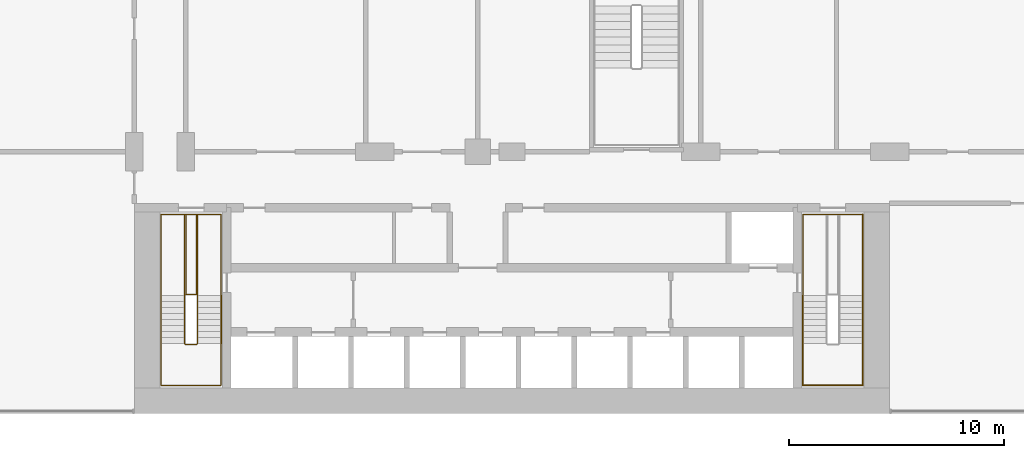
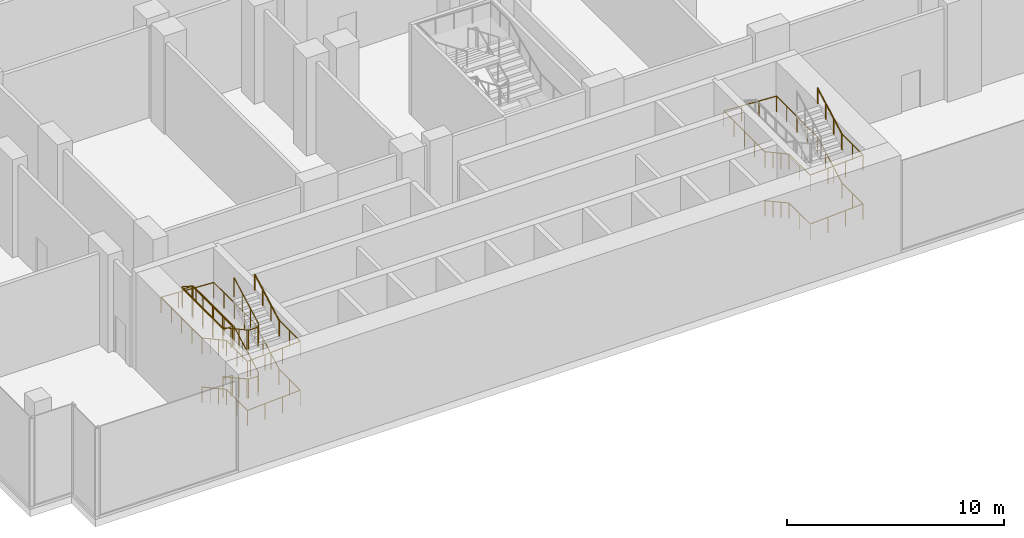
# One storey, part 25 of 30: 7 railings.
"""IFC4 building model written with IfcOpenShell, lengths in metres."""

from ifc_helpers import new_model, si_unit, direction, frame, origin, origin_2d, place, context, subcontext, project, spatial, circle, extrude, material, type_object, element, save


model = new_model("IFC4")

# Units and contexts
model_context = context("Model", 3, precision=1e-05, world=origin(), true_north=direction((0.0, 1.0)))
body_context = subcontext(model_context, "Body", "Model", "MODEL_VIEW")
ifc_project = project(units=[si_unit("LENGTHUNIT", "METRE"), si_unit("AREAUNIT", "SQUARE_METRE"), si_unit("VOLUMEUNIT", "CUBIC_METRE"), si_unit("PLANEANGLEUNIT", "RADIAN"), si_unit("MASSUNIT", "GRAM", prefix="KILO")], contexts=[model_context])

# Site, building, storey
site_placement = place(None, origin())
site = spatial("IfcSite", under=ifc_project, at=site_placement, CompositionType="ELEMENT")
building_placement = place(site_placement, origin())
building = spatial("IfcBuilding", under=site, at=building_placement, Name="Kemantara Hotel Tower", CompositionType="ELEMENT")
storey_placement = place(building_placement, frame((0.0, 0.0, 18.0)))
storey = spatial("IfcBuildingStorey", under=building, at=storey_placement, Name="L03", CompositionType="ELEMENT", Elevation=18.0)

# Railings
ifc_material = material(Name="Stainless steel balustrade", Category="steel")
railing_type_1 = type_object("IfcRailingType", Name="Stair guard 1100 mm", PredefinedType="GUARDRAIL", material=ifc_material)
railing_1_placement = place(storey_placement, frame((12.75, 5.5, 5.5)))
element("IfcRailing", 1, at=railing_1_placement, inside=storey, type_object=railing_type_1, Name="L03 ST1 stair guard 1", PredefinedType="GUARDRAIL", context=body_context, shape_type="SweptSolid", body=[
    extrude(circle(Radius=0.02392578125, at=origin_2d()), frame((0.0, 0.0, 1.076171875), z_axis=(0.0, -0.87783706319, -0.478959382924), x_axis=(1.0, 0.0, 0.0)), (0.0, 0.0, 1.0), 2.5517578125),
    extrude(circle(Radius=0.02392578125, at=origin_2d()), frame((0.0, -2.239990234375, -0.14599609375), z_axis=(-0.297155754911, -0.297155754911, -0.90741220768), x_axis=(0.707106781187, -0.707106781187, 0.0)), (0.0, 0.0, 1.0), 0.16845703125),
    extrude(circle(Radius=0.02392578125, at=origin_2d()), frame((-0.050048828125, -2.2900390625, -0.298828125), z_axis=(-1.0, 0.0, 0.0), x_axis=(0.0, -1.0, 0.0)), (0.0, 0.0, 1.0), 0.5),
    extrude(circle(Radius=0.02392578125, at=origin_2d()), frame((-0.550048828125, -2.2900390625, -0.298828125), z_axis=(-0.707106781187, 0.707106781187, 0.0), x_axis=(-0.707106781187, -0.707106781187, 0.0)), (0.0, 0.0, 1.0), 0.07080078125),
    extrude(circle(Radius=0.02392578125, at=origin_2d()), frame((-0.60009765625, -2.239990234375, -0.298828125), z_axis=(0.0, 0.87783706319, -0.478959382924), x_axis=(-1.0, 0.0, 0.0)), (0.0, 0.0, 1.0), 2.5517578125),
    extrude(circle(Radius=0.02392578125, at=origin_2d()), frame((-0.60009765625, 0.0, -1.52099609375), z_axis=(0.0, 1.0, 0.0), x_axis=(-1.0, 0.0, 0.0)), (0.0, 0.0, 1.0), 3.780029296875),
    extrude(circle(Radius=0.02392578125, at=origin_2d()), frame((-0.60009765625, 3.780029296875, -1.52099609375), z_axis=(0.963499526908, 0.0, -0.267710032776), x_axis=(0.0, 1.0, 0.0)), (0.0, 0.0, 1.0), 0.57080078125),
    extrude(circle(Radius=0.02392578125, at=origin_2d()), frame((-0.050048828125, 3.780029296875, -1.673828125), z_axis=(0.0, -1.0, 0.0), x_axis=(1.0, 0.0, 0.0)), (0.0, 0.0, 1.0), 3.72998046875),
    extrude(circle(Radius=0.02392578125, at=origin_2d()), frame((-0.050048828125, 0.050048828125, -1.673828125), z_axis=(-1.0, 0.0, 0.0), x_axis=(0.0, -1.0, 0.0)), (0.0, 0.0, 1.0), 0.5),
    extrude(circle(Radius=0.02392578125, at=origin_2d()), frame((-0.550048828125, 0.050048828125, -1.673828125), z_axis=(0.0, 1.0, 0.0), x_axis=(-1.0, 0.0, 0.0)), (0.0, 0.0, 1.0), 3.72998046875),
    extrude(circle(Radius=0.02392578125, at=origin_2d()), frame((-0.550048828125, 3.780029296875, -1.673828125), z_axis=(1.0, 0.0, 0.0), x_axis=(0.0, 1.0, 0.0)), (0.0, 0.0, 1.0), 0.550048828125),
    extrude(circle(Radius=0.02392578125, at=origin_2d()), frame((0.0, 3.780029296875, -1.673828125), z_axis=(0.0, -1.0, 0.0), x_axis=(1.0, 0.0, 0.0)), (0.0, 0.0, 1.0), 3.780029296875),
    extrude(circle(Radius=0.02392578125, at=origin_2d()), frame((0.0, 0.0, -1.673828125), z_axis=(0.0, -0.87783706319, -0.478959382924), x_axis=(1.0, 0.0, 0.0)), (0.0, 0.0, 1.0), 2.5517578125),
    extrude(circle(Radius=0.02392578125, at=origin_2d()), frame((0.0, -2.239990234375, -2.89599609375), z_axis=(-0.297155754911, -0.297155754911, -0.90741220768), x_axis=(0.707106781187, -0.707106781187, 0.0)), (0.0, 0.0, 1.0), 0.16845703125),
    extrude(circle(Radius=0.02392578125, at=origin_2d()), frame((-0.050048828125, -2.2900390625, -3.048828125), z_axis=(-1.0, 0.0, 0.0), x_axis=(0.0, -1.0, 0.0)), (0.0, 0.0, 1.0), 0.5),
    extrude(circle(Radius=0.02392578125, at=origin_2d()), frame((-0.550048828125, -2.2900390625, -3.048828125), z_axis=(-0.707106781187, 0.707106781187, 0.0), x_axis=(-0.707106781187, -0.707106781187, 0.0)), (0.0, 0.0, 1.0), 0.07080078125),
    extrude(circle(Radius=0.02392578125, at=origin_2d()), frame((-0.60009765625, -2.239990234375, -3.048828125), z_axis=(0.0, 0.87783706319, -0.478959382924), x_axis=(-1.0, 0.0, 0.0)), (0.0, 0.0, 1.0), 2.5517578125),
    extrude(circle(Radius=0.02392578125, at=origin_2d()), frame((-0.60009765625, 0.0, -4.27099609375), z_axis=(0.297155754911, 0.297155754911, -0.90741220768), x_axis=(-0.707106781187, 0.707106781187, 0.0)), (0.0, 0.0, 1.0), 0.16845703125),
    extrude(circle(Radius=0.02392578125, at=origin_2d()), frame((-0.550048828125, 0.050048828125, -4.423828125), z_axis=(1.0, 0.0, 0.0), x_axis=(0.0, 1.0, 0.0)), (0.0, 0.0, 1.0), 0.5),
    extrude(circle(Radius=0.02099609375, at=origin_2d()), origin(), (0.0, 0.0, 1.0), 1.052001953125),
    extrude(circle(Radius=0.02099609375, at=origin_2d()), frame((0.0, -0.74658203125, -0.407470703125)), (0.0, 0.0, 1.0), 1.052001953125),
    extrude(circle(Radius=0.02099609375, at=origin_2d()), frame((0.0, -1.493408203125, -0.814697265625)), (0.0, 0.0, 1.0), 1.052001953125),
    extrude(circle(Radius=0.02099609375, at=origin_2d()), frame((0.0, -2.239990234375, -1.22216796875)), (0.0, 0.0, 1.0), 1.052001953125),
    extrude(circle(Radius=0.02099609375, at=origin_2d()), frame((-0.050048828125, -2.2900390625, -1.375)), (0.0, 0.0, 1.0), 1.052001953125),
    extrude(circle(Radius=0.02099609375, at=origin_2d()), frame((-0.550048828125, -2.2900390625, -1.375)), (0.0, 0.0, 1.0), 1.052001953125),
    extrude(circle(Radius=0.02099609375, at=origin_2d()), frame((-0.60009765625, -2.239990234375, -1.375)), (0.0, 0.0, 1.0), 1.052001953125),
    extrude(circle(Radius=0.02099609375, at=origin_2d()), frame((-0.60009765625, -1.493408203125, -1.782470703125)), (0.0, 0.0, 1.0), 1.052001953125),
    extrude(circle(Radius=0.02099609375, at=origin_2d()), frame((-0.60009765625, -0.74658203125, -2.189697265625)), (0.0, 0.0, 1.0), 1.052001953125),
    extrude(circle(Radius=0.02099609375, at=origin_2d()), frame((-0.60009765625, 0.0, -2.59716796875)), (0.0, 0.0, 1.0), 1.052001953125),
    extrude(circle(Radius=0.02099609375, at=origin_2d()), frame((-0.60009765625, 0.945068359375, -2.59716796875)), (0.0, 0.0, 1.0), 1.052001953125),
    extrude(circle(Radius=0.02099609375, at=origin_2d()), frame((-0.60009765625, 1.89013671875, -2.59716796875)), (0.0, 0.0, 1.0), 1.052001953125),
    extrude(circle(Radius=0.02099609375, at=origin_2d()), frame((-0.60009765625, 2.8349609375, -2.59716796875)), (0.0, 0.0, 1.0), 1.052001953125),
    extrude(circle(Radius=0.02099609375, at=origin_2d()), frame((-0.60009765625, 3.780029296875, -2.59716796875)), (0.0, 0.0, 1.0), 1.052001953125),
    extrude(circle(Radius=0.02099609375, at=origin_2d()), frame((-0.050048828125, 3.780029296875, -2.75)), (0.0, 0.0, 1.0), 1.052001953125),
    extrude(circle(Radius=0.02099609375, at=origin_2d()), frame((-0.050048828125, 2.84765625, -2.75)), (0.0, 0.0, 1.0), 1.052001953125),
    extrude(circle(Radius=0.02099609375, at=origin_2d()), frame((-0.050048828125, 1.9150390625, -2.75)), (0.0, 0.0, 1.0), 1.052001953125),
    extrude(circle(Radius=0.02099609375, at=origin_2d()), frame((-0.050048828125, 0.982421875, -2.75)), (0.0, 0.0, 1.0), 1.052001953125),
    extrude(circle(Radius=0.02099609375, at=origin_2d()), frame((-0.050048828125, 0.050048828125, -2.75)), (0.0, 0.0, 1.0), 1.052001953125),
    extrude(circle(Radius=0.02099609375, at=origin_2d()), frame((-0.550048828125, 0.050048828125, -2.75)), (0.0, 0.0, 1.0), 1.052001953125),
    extrude(circle(Radius=0.02099609375, at=origin_2d()), frame((-0.550048828125, 0.982421875, -2.75)), (0.0, 0.0, 1.0), 1.052001953125),
    extrude(circle(Radius=0.02099609375, at=origin_2d()), frame((-0.550048828125, 1.9150390625, -2.75)), (0.0, 0.0, 1.0), 1.052001953125),
    extrude(circle(Radius=0.02099609375, at=origin_2d()), frame((-0.550048828125, 2.84765625, -2.75)), (0.0, 0.0, 1.0), 1.052001953125),
    extrude(circle(Radius=0.02099609375, at=origin_2d()), frame((-0.550048828125, 3.780029296875, -2.75)), (0.0, 0.0, 1.0), 1.052001953125),
    extrude(circle(Radius=0.02099609375, at=origin_2d()), frame((0.0, 3.780029296875, -2.75)), (0.0, 0.0, 1.0), 1.052001953125),
    extrude(circle(Radius=0.02099609375, at=origin_2d()), frame((0.0, 2.8349609375, -2.75)), (0.0, 0.0, 1.0), 1.052001953125),
    extrude(circle(Radius=0.02099609375, at=origin_2d()), frame((0.0, 1.89013671875, -2.75)), (0.0, 0.0, 1.0), 1.052001953125),
    extrude(circle(Radius=0.02099609375, at=origin_2d()), frame((0.0, 0.945068359375, -2.75)), (0.0, 0.0, 1.0), 1.052001953125),
    extrude(circle(Radius=0.02099609375, at=origin_2d()), frame((0.0, 0.0, -2.75)), (0.0, 0.0, 1.0), 1.052001953125),
    extrude(circle(Radius=0.02099609375, at=origin_2d()), frame((0.0, -0.74658203125, -3.157470703125)), (0.0, 0.0, 1.0), 1.052001953125),
    extrude(circle(Radius=0.02099609375, at=origin_2d()), frame((0.0, -1.493408203125, -3.564697265625)), (0.0, 0.0, 1.0), 1.052001953125),
    extrude(circle(Radius=0.02099609375, at=origin_2d()), frame((0.0, -2.239990234375, -3.97216796875)), (0.0, 0.0, 1.0), 1.052001953125),
    extrude(circle(Radius=0.02099609375, at=origin_2d()), frame((-0.050048828125, -2.2900390625, -4.125)), (0.0, 0.0, 1.0), 1.052001953125),
    extrude(circle(Radius=0.02099609375, at=origin_2d()), frame((-0.550048828125, -2.2900390625, -4.125)), (0.0, 0.0, 1.0), 1.052001953125),
    extrude(circle(Radius=0.02099609375, at=origin_2d()), frame((-0.60009765625, -2.239990234375, -4.125)), (0.0, 0.0, 1.0), 1.052001953125),
    extrude(circle(Radius=0.02099609375, at=origin_2d()), frame((-0.60009765625, -1.493408203125, -4.532470703125)), (0.0, 0.0, 1.0), 1.052001953125),
    extrude(circle(Radius=0.02099609375, at=origin_2d()), frame((-0.60009765625, -0.74658203125, -4.939697265625)), (0.0, 0.0, 1.0), 1.052001953125),
    extrude(circle(Radius=0.02099609375, at=origin_2d()), frame((-0.60009765625, 0.0, -5.34716796875)), (0.0, 0.0, 1.0), 1.052001953125),
    extrude(circle(Radius=0.02099609375, at=origin_2d()), frame((-0.550048828125, 0.050048828125, -5.5)), (0.0, 0.0, 1.0), 1.052001953125),
    extrude(circle(Radius=0.02099609375, at=origin_2d()), frame((-0.050048828125, 0.050048828125, -5.5)), (0.0, 0.0, 1.0), 1.052001953125),
])
railing_type_2 = type_object("IfcRailingType", Name="Stair handrail 900 mm", PredefinedType="HANDRAIL", material=ifc_material)
railing_2_placement = place(storey_placement, frame((11.050048828125, 5.5, 0.15283203125)))
element("IfcRailing", 2, at=railing_2_placement, inside=storey, type_object=railing_type_2, Name="L03 ST1 stair handrail 1", PredefinedType="HANDRAIL", context=body_context, shape_type="SweptSolid", body=[
    extrude(circle(Radius=0.02392578125, at=origin_2d()), frame((0.0, 0.0, 0.8759765625), z_axis=(0.0, -0.87783706319, 0.478959382924), x_axis=(1.0, 0.0, 0.0)), (0.0, 0.0, 1.0), 2.5517578125),
    extrude(circle(Radius=0.02392578125, at=origin_2d()), frame((0.0, -2.239990234375, 2.09814453125), z_axis=(0.0, -1.0, 0.0), x_axis=(1.0, 0.0, 0.0)), (0.0, 0.0, 1.0), 1.93994140625),
    extrude(circle(Radius=0.02392578125, at=origin_2d()), frame((0.0, -4.179931640625, 2.09814453125), z_axis=(0.998513727286, 0.0, 0.054500792857), x_axis=(0.0, 1.0, 0.0)), (0.0, 0.0, 1.0), 2.80419921875),
    extrude(circle(Radius=0.02392578125, at=origin_2d()), frame((2.800048828125, -4.179931640625, 2.2509765625), z_axis=(0.0, 1.0, 0.0), x_axis=(-1.0, 0.0, 0.0)), (0.0, 0.0, 1.0), 1.93994140625),
    extrude(circle(Radius=0.02392578125, at=origin_2d()), frame((2.800048828125, -2.239990234375, 2.2509765625), z_axis=(0.0, 0.87783706319, 0.478959382924), x_axis=(-1.0, 0.0, 0.0)), (0.0, 0.0, 1.0), 2.5517578125),
    extrude(circle(Radius=0.02099609375, at=origin_2d()), origin(), (0.0, 0.0, 1.0), 0.851806640625),
    extrude(circle(Radius=0.02099609375, at=origin_2d()), frame((0.0, -0.74658203125, 0.407470703125)), (0.0, 0.0, 1.0), 0.851806640625),
    extrude(circle(Radius=0.02099609375, at=origin_2d()), frame((0.0, -1.493408203125, 0.814697265625)), (0.0, 0.0, 1.0), 0.851806640625),
    extrude(circle(Radius=0.02099609375, at=origin_2d()), frame((0.0, -2.239990234375, 1.22216796875)), (0.0, 0.0, 1.0), 0.851806640625),
    extrude(circle(Radius=0.02099609375, at=origin_2d()), frame((0.0, -3.2099609375, 1.22216796875)), (0.0, 0.0, 1.0), 0.851806640625),
    extrude(circle(Radius=0.02099609375, at=origin_2d()), frame((0.0, -4.179931640625, 1.22216796875)), (0.0, 0.0, 1.0), 0.851806640625),
    extrude(circle(Radius=0.02099609375, at=origin_2d()), frame((0.933349609375, -4.179931640625, 1.273193359375)), (0.0, 0.0, 1.0), 0.851806640625),
    extrude(circle(Radius=0.02099609375, at=origin_2d()), frame((1.86669921875, -4.179931640625, 1.323974609375)), (0.0, 0.0, 1.0), 0.851806640625),
    extrude(circle(Radius=0.02099609375, at=origin_2d()), frame((2.800048828125, -4.179931640625, 1.375)), (0.0, 0.0, 1.0), 0.851806640625),
    extrude(circle(Radius=0.02099609375, at=origin_2d()), frame((2.800048828125, -3.2099609375, 1.375)), (0.0, 0.0, 1.0), 0.851806640625),
    extrude(circle(Radius=0.02099609375, at=origin_2d()), frame((2.800048828125, -2.239990234375, 1.375)), (0.0, 0.0, 1.0), 0.851806640625),
    extrude(circle(Radius=0.02099609375, at=origin_2d()), frame((2.800048828125, -1.493408203125, 1.782470703125)), (0.0, 0.0, 1.0), 0.851806640625),
    extrude(circle(Radius=0.02099609375, at=origin_2d()), frame((2.800048828125, -0.74658203125, 2.189697265625)), (0.0, 0.0, 1.0), 0.851806640625),
    extrude(circle(Radius=0.02099609375, at=origin_2d()), frame((2.800048828125, 0.0, 2.59716796875)), (0.0, 0.0, 1.0), 0.851806640625),
])
railing_3_placement = place(storey_placement, frame((13.85009765625, 5.5, 2.75)))
element("IfcRailing", 3, at=railing_3_placement, inside=storey, type_object=railing_type_2, Name="L03 ST1 stair handrail 2", PredefinedType="HANDRAIL", context=body_context, shape_type="SweptSolid", body=[
    extrude(circle(Radius=0.02392578125, at=origin_2d()), frame((0.0, 0.0, 0.8759765625), z_axis=(0.0, 1.0, 0.0), x_axis=(-1.0, 0.0, 0.0)), (0.0, 0.0, 1.0), 3.780029296875),
    extrude(circle(Radius=0.02392578125, at=origin_2d()), frame((0.0, 3.780029296875, 0.8759765625), z_axis=(-0.998513727286, 0.0, 0.054500792857), x_axis=(0.0, -1.0, 0.0)), (0.0, 0.0, 1.0), 2.80419921875),
    extrude(circle(Radius=0.02392578125, at=origin_2d()), frame((-2.800048828125, 3.780029296875, 1.02880859375), z_axis=(0.0, -1.0, 0.0), x_axis=(1.0, 0.0, 0.0)), (0.0, 0.0, 1.0), 3.780029296875),
    extrude(circle(Radius=0.02392578125, at=origin_2d()), frame((-2.800048828125, 0.0, 1.02880859375), z_axis=(0.0, -0.87783706319, 0.478959382924), x_axis=(1.0, 0.0, 0.0)), (0.0, 0.0, 1.0), 2.5517578125),
    extrude(circle(Radius=0.02392578125, at=origin_2d()), frame((-2.800048828125, -2.239990234375, 2.2509765625), z_axis=(0.0, -1.0, 0.0), x_axis=(1.0, 0.0, 0.0)), (0.0, 0.0, 1.0), 1.93994140625),
    extrude(circle(Radius=0.02392578125, at=origin_2d()), frame((-2.800048828125, -4.179931640625, 2.2509765625), z_axis=(0.998513727286, 0.0, 0.054500792857), x_axis=(0.0, 1.0, 0.0)), (0.0, 0.0, 1.0), 2.80419921875),
    extrude(circle(Radius=0.02392578125, at=origin_2d()), frame((0.0, -4.179931640625, 2.40380859375), z_axis=(0.0, 1.0, 0.0), x_axis=(-1.0, 0.0, 0.0)), (0.0, 0.0, 1.0), 1.93994140625),
    extrude(circle(Radius=0.02099609375, at=origin_2d()), origin(), (0.0, 0.0, 1.0), 0.851806640625),
    extrude(circle(Radius=0.02099609375, at=origin_2d()), frame((0.0, 0.945068359375, 0.0)), (0.0, 0.0, 1.0), 0.851806640625),
    extrude(circle(Radius=0.02099609375, at=origin_2d()), frame((0.0, 1.89013671875, 0.0)), (0.0, 0.0, 1.0), 0.851806640625),
    extrude(circle(Radius=0.02099609375, at=origin_2d()), frame((0.0, 2.8349609375, 0.0)), (0.0, 0.0, 1.0), 0.851806640625),
    extrude(circle(Radius=0.02099609375, at=origin_2d()), frame((0.0, 3.780029296875, 0.0)), (0.0, 0.0, 1.0), 0.851806640625),
    extrude(circle(Radius=0.02099609375, at=origin_2d()), frame((-0.933349609375, 3.780029296875, 0.051025390625)), (0.0, 0.0, 1.0), 0.851806640625),
    extrude(circle(Radius=0.02099609375, at=origin_2d()), frame((-1.86669921875, 3.780029296875, 0.101806640625)), (0.0, 0.0, 1.0), 0.851806640625),
    extrude(circle(Radius=0.02099609375, at=origin_2d()), frame((-2.800048828125, 3.780029296875, 0.15283203125)), (0.0, 0.0, 1.0), 0.851806640625),
    extrude(circle(Radius=0.02099609375, at=origin_2d()), frame((-2.800048828125, 2.8349609375, 0.15283203125)), (0.0, 0.0, 1.0), 0.851806640625),
    extrude(circle(Radius=0.02099609375, at=origin_2d()), frame((-2.800048828125, 1.89013671875, 0.15283203125)), (0.0, 0.0, 1.0), 0.851806640625),
    extrude(circle(Radius=0.02099609375, at=origin_2d()), frame((-2.800048828125, 0.945068359375, 0.15283203125)), (0.0, 0.0, 1.0), 0.851806640625),
    extrude(circle(Radius=0.02099609375, at=origin_2d()), frame((-2.800048828125, 0.0, 0.15283203125)), (0.0, 0.0, 1.0), 0.851806640625),
    extrude(circle(Radius=0.02099609375, at=origin_2d()), frame((-2.800048828125, -0.74658203125, 0.560302734375)), (0.0, 0.0, 1.0), 0.851806640625),
    extrude(circle(Radius=0.02099609375, at=origin_2d()), frame((-2.800048828125, -1.493408203125, 0.967529296875)), (0.0, 0.0, 1.0), 0.851806640625),
    extrude(circle(Radius=0.02099609375, at=origin_2d()), frame((-2.800048828125, -2.239990234375, 1.375)), (0.0, 0.0, 1.0), 0.851806640625),
    extrude(circle(Radius=0.02099609375, at=origin_2d()), frame((-2.800048828125, -3.2099609375, 1.375)), (0.0, 0.0, 1.0), 0.851806640625),
    extrude(circle(Radius=0.02099609375, at=origin_2d()), frame((-2.800048828125, -4.179931640625, 1.375)), (0.0, 0.0, 1.0), 0.851806640625),
    extrude(circle(Radius=0.02099609375, at=origin_2d()), frame((-1.86669921875, -4.179931640625, 1.426025390625)), (0.0, 0.0, 1.0), 0.851806640625),
    extrude(circle(Radius=0.02099609375, at=origin_2d()), frame((-0.933349609375, -4.179931640625, 1.476806640625)), (0.0, 0.0, 1.0), 0.851806640625),
    extrude(circle(Radius=0.02099609375, at=origin_2d()), frame((0.0, -4.179931640625, 1.52783203125)), (0.0, 0.0, 1.0), 0.851806640625),
    extrude(circle(Radius=0.02099609375, at=origin_2d()), frame((0.0, -3.2099609375, 1.52783203125)), (0.0, 0.0, 1.0), 0.851806640625),
    extrude(circle(Radius=0.02099609375, at=origin_2d()), frame((0.0, -2.239990234375, 1.52783203125)), (0.0, 0.0, 1.0), 0.851806640625),
])
railing_4_placement = place(storey_placement, frame((13.85009765625, 3.260009765625, 4.27783203125)))
element("IfcRailing", 4, at=railing_4_placement, inside=storey, type_object=railing_type_2, Name="L03 ST1 stair handrail 3", PredefinedType="HANDRAIL", context=body_context, shape_type="SweptSolid", body=[
    extrude(circle(Radius=0.02392578125, at=origin_2d()), frame((0.0, 0.0, 0.8759765625), z_axis=(0.0, 0.87783706319, 0.478959382924), x_axis=(-1.0, 0.0, 0.0)), (0.0, 0.0, 1.0), 2.5517578125),
    extrude(circle(Radius=0.02099609375, at=origin_2d()), origin(), (0.0, 0.0, 1.0), 0.851806640625),
    extrude(circle(Radius=0.02099609375, at=origin_2d()), frame((0.0, 0.74658203125, 0.407470703125)), (0.0, 0.0, 1.0), 0.851806640625),
    extrude(circle(Radius=0.02099609375, at=origin_2d()), frame((0.0, 1.493408203125, 0.814697265625)), (0.0, 0.0, 1.0), 0.851806640625),
    extrude(circle(Radius=0.02099609375, at=origin_2d()), frame((0.0, 2.239990234375, 1.22216796875)), (0.0, 0.0, 1.0), 0.851806640625),
])
railing_5_placement = place(storey_placement, frame((40.949951171875, 5.5, 0.15283203125)))
element("IfcRailing", 5, at=railing_5_placement, inside=storey, type_object=railing_type_2, Name="L03 ST2 stair handrail 1", PredefinedType="HANDRAIL", context=body_context, shape_type="SweptSolid", body=[
    extrude(circle(Radius=0.02392578125, at=origin_2d()), frame((0.0, 0.0, 0.8759765625), z_axis=(0.0, -0.87783706319, 0.478959382924), x_axis=(1.0, 0.0, 0.0)), (0.0, 0.0, 1.0), 2.5517578125),
    extrude(circle(Radius=0.02392578125, at=origin_2d()), frame((0.0, -2.239990234375, 2.09814453125), z_axis=(0.0, -1.0, 0.0), x_axis=(1.0, 0.0, 0.0)), (0.0, 0.0, 1.0), 1.93994140625),
    extrude(circle(Radius=0.02392578125, at=origin_2d()), frame((0.0, -4.179931640625, 2.09814453125), z_axis=(0.998513727286, 0.0, 0.054500792857), x_axis=(0.0, 1.0, 0.0)), (0.0, 0.0, 1.0), 2.80419921875),
    extrude(circle(Radius=0.02392578125, at=origin_2d()), frame((2.800048828125, -4.179931640625, 2.2509765625), z_axis=(0.0, 1.0, 0.0), x_axis=(-1.0, 0.0, 0.0)), (0.0, 0.0, 1.0), 1.93994140625),
    extrude(circle(Radius=0.02392578125, at=origin_2d()), frame((2.800048828125, -2.239990234375, 2.2509765625), z_axis=(0.0, 0.87783706319, 0.478959382924), x_axis=(-1.0, 0.0, 0.0)), (0.0, 0.0, 1.0), 2.5517578125),
    extrude(circle(Radius=0.02392578125, at=origin_2d()), frame((2.800048828125, 0.0, 3.47314453125), z_axis=(0.0, 1.0, 0.0), x_axis=(-1.0, 0.0, 0.0)), (0.0, 0.0, 1.0), 3.780029296875),
    extrude(circle(Radius=0.02099609375, at=origin_2d()), origin(), (0.0, 0.0, 1.0), 0.851806640625),
    extrude(circle(Radius=0.02099609375, at=origin_2d()), frame((0.0, -0.74658203125, 0.407470703125)), (0.0, 0.0, 1.0), 0.851806640625),
    extrude(circle(Radius=0.02099609375, at=origin_2d()), frame((0.0, -1.493408203125, 0.814697265625)), (0.0, 0.0, 1.0), 0.851806640625),
    extrude(circle(Radius=0.02099609375, at=origin_2d()), frame((0.0, -2.239990234375, 1.22216796875)), (0.0, 0.0, 1.0), 0.851806640625),
    extrude(circle(Radius=0.02099609375, at=origin_2d()), frame((0.0, -3.2099609375, 1.22216796875)), (0.0, 0.0, 1.0), 0.851806640625),
    extrude(circle(Radius=0.02099609375, at=origin_2d()), frame((0.0, -4.179931640625, 1.22216796875)), (0.0, 0.0, 1.0), 0.851806640625),
    extrude(circle(Radius=0.02099609375, at=origin_2d()), frame((0.933349609375, -4.179931640625, 1.273193359375)), (0.0, 0.0, 1.0), 0.851806640625),
    extrude(circle(Radius=0.02099609375, at=origin_2d()), frame((1.86669921875, -4.179931640625, 1.323974609375)), (0.0, 0.0, 1.0), 0.851806640625),
    extrude(circle(Radius=0.02099609375, at=origin_2d()), frame((2.800048828125, -4.179931640625, 1.375)), (0.0, 0.0, 1.0), 0.851806640625),
    extrude(circle(Radius=0.02099609375, at=origin_2d()), frame((2.800048828125, -3.2099609375, 1.375)), (0.0, 0.0, 1.0), 0.851806640625),
    extrude(circle(Radius=0.02099609375, at=origin_2d()), frame((2.800048828125, -2.239990234375, 1.375)), (0.0, 0.0, 1.0), 0.851806640625),
    extrude(circle(Radius=0.02099609375, at=origin_2d()), frame((2.800048828125, -1.493408203125, 1.782470703125)), (0.0, 0.0, 1.0), 0.851806640625),
    extrude(circle(Radius=0.02099609375, at=origin_2d()), frame((2.800048828125, -0.74658203125, 2.189697265625)), (0.0, 0.0, 1.0), 0.851806640625),
    extrude(circle(Radius=0.02099609375, at=origin_2d()), frame((2.800048828125, 0.0, 2.59716796875)), (0.0, 0.0, 1.0), 0.851806640625),
    extrude(circle(Radius=0.02099609375, at=origin_2d()), frame((2.800048828125, 0.945068359375, 2.59716796875)), (0.0, 0.0, 1.0), 0.851806640625),
    extrude(circle(Radius=0.02099609375, at=origin_2d()), frame((2.800048828125, 1.89013671875, 2.59716796875)), (0.0, 0.0, 1.0), 0.851806640625),
    extrude(circle(Radius=0.02099609375, at=origin_2d()), frame((2.800048828125, 2.8349609375, 2.59716796875)), (0.0, 0.0, 1.0), 0.851806640625),
    extrude(circle(Radius=0.02099609375, at=origin_2d()), frame((2.800048828125, 3.780029296875, 2.59716796875)), (0.0, 0.0, 1.0), 0.851806640625),
])
railing_6_placement = place(storey_placement, frame((43.75, 9.280029296875, 2.75)))
element("IfcRailing", 6, at=railing_6_placement, inside=storey, type_object=railing_type_2, Name="L03 ST2 stair handrail 2", PredefinedType="HANDRAIL", context=body_context, shape_type="SweptSolid", body=[
    extrude(circle(Radius=0.02392578125, at=origin_2d()), frame((0.0, 0.0, 0.8759765625), z_axis=(-0.998513727286, 0.0, 0.054500792857), x_axis=(0.0, -1.0, 0.0)), (0.0, 0.0, 1.0), 2.80419921875),
    extrude(circle(Radius=0.02392578125, at=origin_2d()), frame((-2.800048828125, 0.0, 1.02880859375), z_axis=(0.0, -1.0, 0.0), x_axis=(1.0, 0.0, 0.0)), (0.0, 0.0, 1.0), 3.780029296875),
    extrude(circle(Radius=0.02392578125, at=origin_2d()), frame((-2.800048828125, -3.780029296875, 1.02880859375), z_axis=(0.0, -0.87783706319, 0.478959382924), x_axis=(1.0, 0.0, 0.0)), (0.0, 0.0, 1.0), 2.5517578125),
    extrude(circle(Radius=0.02392578125, at=origin_2d()), frame((-2.800048828125, -6.02001953125, 2.2509765625), z_axis=(0.0, -1.0, 0.0), x_axis=(1.0, 0.0, 0.0)), (0.0, 0.0, 1.0), 1.93994140625),
    extrude(circle(Radius=0.02392578125, at=origin_2d()), frame((-2.800048828125, -7.9599609375, 2.2509765625), z_axis=(0.998513727286, 0.0, 0.054500792857), x_axis=(0.0, 1.0, 0.0)), (0.0, 0.0, 1.0), 2.80419921875),
    extrude(circle(Radius=0.02392578125, at=origin_2d()), frame((0.0, -7.9599609375, 2.40380859375), z_axis=(0.0, 1.0, 0.0), x_axis=(-1.0, 0.0, 0.0)), (0.0, 0.0, 1.0), 1.93994140625),
    extrude(circle(Radius=0.02099609375, at=origin_2d()), origin(), (0.0, 0.0, 1.0), 0.851806640625),
    extrude(circle(Radius=0.02099609375, at=origin_2d()), frame((-0.933349609375, 0.0, 0.051025390625)), (0.0, 0.0, 1.0), 0.851806640625),
    extrude(circle(Radius=0.02099609375, at=origin_2d()), frame((-1.86669921875, 0.0, 0.101806640625)), (0.0, 0.0, 1.0), 0.851806640625),
    extrude(circle(Radius=0.02099609375, at=origin_2d()), frame((-2.800048828125, 0.0, 0.15283203125)), (0.0, 0.0, 1.0), 0.851806640625),
    extrude(circle(Radius=0.02099609375, at=origin_2d()), frame((-2.800048828125, -0.945068359375, 0.15283203125)), (0.0, 0.0, 1.0), 0.851806640625),
    extrude(circle(Radius=0.02099609375, at=origin_2d()), frame((-2.800048828125, -1.89013671875, 0.15283203125)), (0.0, 0.0, 1.0), 0.851806640625),
    extrude(circle(Radius=0.02099609375, at=origin_2d()), frame((-2.800048828125, -2.8349609375, 0.15283203125)), (0.0, 0.0, 1.0), 0.851806640625),
    extrude(circle(Radius=0.02099609375, at=origin_2d()), frame((-2.800048828125, -3.780029296875, 0.15283203125)), (0.0, 0.0, 1.0), 0.851806640625),
    extrude(circle(Radius=0.02099609375, at=origin_2d()), frame((-2.800048828125, -4.526611328125, 0.560302734375)), (0.0, 0.0, 1.0), 0.851806640625),
    extrude(circle(Radius=0.02099609375, at=origin_2d()), frame((-2.800048828125, -5.2734375, 0.967529296875)), (0.0, 0.0, 1.0), 0.851806640625),
    extrude(circle(Radius=0.02099609375, at=origin_2d()), frame((-2.800048828125, -6.02001953125, 1.375)), (0.0, 0.0, 1.0), 0.851806640625),
    extrude(circle(Radius=0.02099609375, at=origin_2d()), frame((-2.800048828125, -6.989990234375, 1.375)), (0.0, 0.0, 1.0), 0.851806640625),
    extrude(circle(Radius=0.02099609375, at=origin_2d()), frame((-2.800048828125, -7.9599609375, 1.375)), (0.0, 0.0, 1.0), 0.851806640625),
    extrude(circle(Radius=0.02099609375, at=origin_2d()), frame((-1.86669921875, -7.9599609375, 1.426025390625)), (0.0, 0.0, 1.0), 0.851806640625),
    extrude(circle(Radius=0.02099609375, at=origin_2d()), frame((-0.933349609375, -7.9599609375, 1.476806640625)), (0.0, 0.0, 1.0), 0.851806640625),
    extrude(circle(Radius=0.02099609375, at=origin_2d()), frame((0.0, -7.9599609375, 1.52783203125)), (0.0, 0.0, 1.0), 0.851806640625),
    extrude(circle(Radius=0.02099609375, at=origin_2d()), frame((0.0, -6.989990234375, 1.52783203125)), (0.0, 0.0, 1.0), 0.851806640625),
    extrude(circle(Radius=0.02099609375, at=origin_2d()), frame((0.0, -6.02001953125, 1.52783203125)), (0.0, 0.0, 1.0), 0.851806640625),
])
railing_7_placement = place(storey_placement, frame((43.75, 3.260009765625, 4.27783203125)))
element("IfcRailing", 7, at=railing_7_placement, inside=storey, type_object=railing_type_2, Name="L03 ST2 stair handrail 3", PredefinedType="HANDRAIL", context=body_context, shape_type="SweptSolid", body=[
    extrude(circle(Radius=0.02392578125, at=origin_2d()), frame((0.0, 0.0, 0.8759765625), z_axis=(0.0, 0.87783706319, 0.478959382924), x_axis=(-1.0, 0.0, 0.0)), (0.0, 0.0, 1.0), 2.5517578125),
    extrude(circle(Radius=0.02099609375, at=origin_2d()), origin(), (0.0, 0.0, 1.0), 0.851806640625),
    extrude(circle(Radius=0.02099609375, at=origin_2d()), frame((0.0, 0.74658203125, 0.407470703125)), (0.0, 0.0, 1.0), 0.851806640625),
    extrude(circle(Radius=0.02099609375, at=origin_2d()), frame((0.0, 1.493408203125, 0.814697265625)), (0.0, 0.0, 1.0), 0.851806640625),
    extrude(circle(Radius=0.02099609375, at=origin_2d()), frame((0.0, 2.239990234375, 1.22216796875)), (0.0, 0.0, 1.0), 0.851806640625),
])

save(model, "model.ifc")
